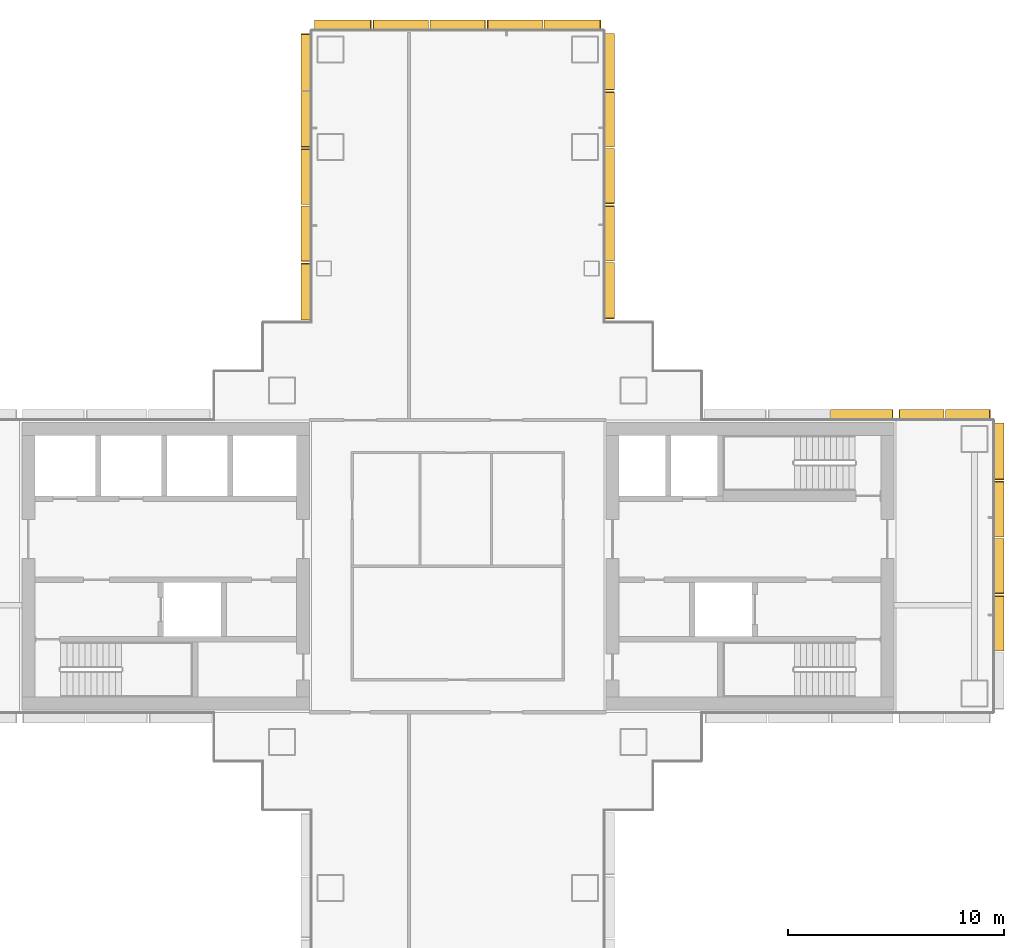
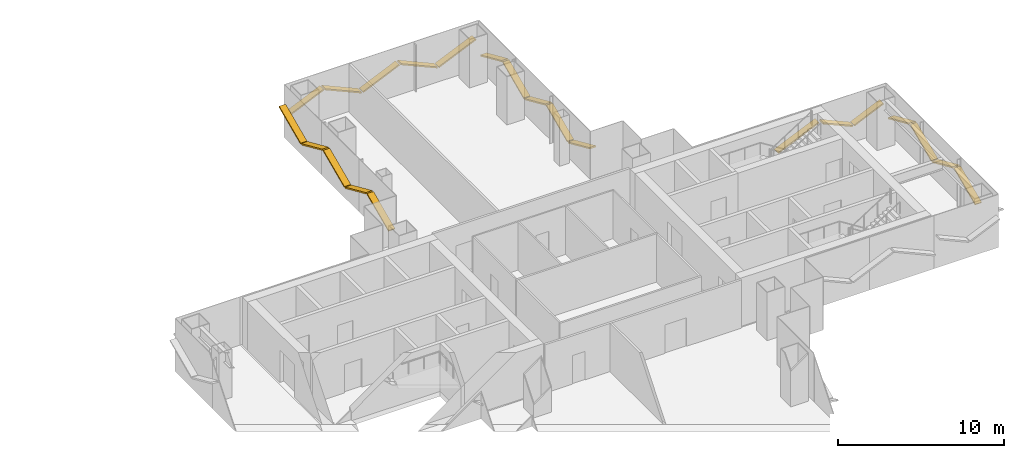
# One storey, part 19 of 20: 22 shading devices.
"""IFC4 building model written with IfcOpenShell, lengths in metres."""

from ifc_helpers import new_model, si_unit, direction, frame, origin, origin_2d, place, context, subcontext, project, spatial, rectangle, extrude, material, material_profile, profile_set, type_object, element, save


model = new_model("IFC4")

# Units and contexts
model_context = context("Model", 3, precision=1e-05, world=origin(), true_north=direction((0.0, 1.0)))
body_context = subcontext(model_context, "Body", "Model", "MODEL_VIEW")
ifc_project = project(units=[si_unit("LENGTHUNIT", "METRE"), si_unit("AREAUNIT", "SQUARE_METRE"), si_unit("VOLUMEUNIT", "CUBIC_METRE"), si_unit("PLANEANGLEUNIT", "RADIAN"), si_unit("MASSUNIT", "GRAM", prefix="KILO")], contexts=[model_context])

# Site, building, storey
site_placement = place(None, origin())
site = spatial("IfcSite", under=ifc_project, at=site_placement, CompositionType="ELEMENT")
building_placement = place(site_placement, origin())
building = spatial("IfcBuilding", under=site, at=building_placement, Name="Shamsa Quay Exchange Towers", CompositionType="ELEMENT")
storey_placement = place(building_placement, frame((0.0, 0.0, 101.39990234375)))
storey = spatial("IfcBuildingStorey", under=building, at=storey_placement, Name="L23", CompositionType="ELEMENT", Elevation=101.39990234375)

# Shading devices
ifc_material = material(Name="Aluminium EN AW-6063 T6, black anodised", Category="aluminium")
ifc_material_profile = material_profile(ifc_material, rectangle(XDim=0.449951171875, YDim=0.10009765625, at=origin_2d()), Name="FIN450x100")
ifc_profile_set = profile_set([ifc_material_profile], Name="Aluminium EN AW-6063 T6, black anodised")
shading_device_type = type_object("IfcShadingDeviceType", Name="FIN 450x100 BLACK ALUMINIUM", PredefinedType="USERDEFINED", material=ifc_profile_set)
shading_device_1_placement = place(storey_placement, frame((58.764892578125, -3.909912109375, 1.03466796875), z_axis=(0.0, 0.913536125794, 0.406757602103), x_axis=(-1.0, 0.0, 0.0)))
element("IfcShadingDevice", 1, at=shading_device_1_placement, inside=storey, type_object=shading_device_type, Name="FIN T2 chevron rib", ObjectType="FIN", PredefinedType="USERDEFINED", context=body_context, shape_type="SweptSolid", body=[
    extrude(rectangle(XDim=0.449951171875, YDim=0.10009765625, at=origin_2d()), origin(), (0.0, 0.0, 1.0), 2.7802734375),
])
shading_device_2_placement = place(storey_placement, frame((58.764892578125, -1.27001953125, 2.16552734375), z_axis=(0.0, 0.913550653139, -0.4067249736), x_axis=(-1.0, 0.0, 0.0)))
element("IfcShadingDevice", 2, at=shading_device_2_placement, inside=storey, type_object=shading_device_type, Name="FIN T2 chevron rib", ObjectType="FIN", PredefinedType="USERDEFINED", context=body_context, shape_type="SweptSolid", body=[
    extrude(rectangle(XDim=0.449951171875, YDim=0.10009765625, at=origin_2d()), origin(), (0.0, 0.0, 1.0), 2.780517578125),
])
shading_device_3_placement = place(storey_placement, frame((58.764892578125, 1.3701171875, 1.03466796875), z_axis=(0.0, 0.913536125794, 0.406757602103), x_axis=(-1.0, 0.0, 0.0)))
element("IfcShadingDevice", 3, at=shading_device_3_placement, inside=storey, type_object=shading_device_type, Name="FIN T2 chevron rib", ObjectType="FIN", PredefinedType="USERDEFINED", context=body_context, shape_type="SweptSolid", body=[
    extrude(rectangle(XDim=0.449951171875, YDim=0.10009765625, at=origin_2d()), origin(), (0.0, 0.0, 1.0), 2.7802734375),
])
shading_device_4_placement = place(storey_placement, frame((58.764892578125, 4.010009765625, 2.1767578125), z_axis=(0.0, 0.913527255138, -0.406777524109), x_axis=(-1.0, 0.0, 0.0)))
element("IfcShadingDevice", 4, at=shading_device_4_placement, inside=storey, type_object=shading_device_type, Name="FIN T2 chevron rib", ObjectType="FIN", PredefinedType="USERDEFINED", context=body_context, shape_type="SweptSolid", body=[
    extrude(rectangle(XDim=0.449951171875, YDim=0.10009765625, at=origin_2d()), origin(), (0.0, 0.0, 1.0), 2.835205078125),
])
for number, where, z_axis, x_axis, name in (
    (5, (58.35009765625, 7.014892578125, 2.056396484375), (-0.913569116241, 0.0, -0.406683500835), (0.0, -1.0, 0.0), "FIN T2 chevron rib"),
    (6, (56.199951171875, 7.014892578125, 1.143798828125), (-0.913569116241, 0.0, 0.406683500835), (0.0, -1.0, 0.0), "FIN T2 chevron rib"),
):
    element("IfcShadingDevice", number, at=place(storey_placement, frame(where, z_axis=z_axis, x_axis=x_axis)), inside=storey, type_object=shading_device_type, Name=name, ObjectType="FIN", PredefinedType="USERDEFINED", context=body_context, shape_type="SweptSolid", body=[
        extrude(rectangle(XDim=0.449951171875, YDim=0.10009765625, at=origin_2d()), origin(), (0.0, 0.0, 1.0), 2.243896484375),
    ])
shading_device_5_placement = place(storey_placement, frame((53.85009765625, 7.01904296875, 2.234619140625), z_axis=(-0.913533816972, 0.0, -0.406762787444), x_axis=(0.0, -1.0, 0.0)))
element("IfcShadingDevice", 7, at=shading_device_5_placement, inside=storey, type_object=shading_device_type, Name="FIN T2 chevron rib", ObjectType="FIN", PredefinedType="USERDEFINED", context=body_context, shape_type="SweptSolid", body=[
    extrude(rectangle(XDim=0.449951171875, YDim=0.10009765625, at=origin_2d()), origin(), (0.0, 0.0, 1.0), 3.119873046875),
])
shading_device_6_placement = place(storey_placement, frame((40.764892578125, 11.43798828125, 2.175048828125), z_axis=(0.0, 0.913533553072, -0.406763380126), x_axis=(-1.0, 0.0, 0.0)))
element("IfcShadingDevice", 8, at=shading_device_6_placement, inside=storey, type_object=shading_device_type, Name="FIN T2 chevron rib", ObjectType="FIN", PredefinedType="USERDEFINED", context=body_context, shape_type="SweptSolid", body=[
    extrude(rectangle(XDim=0.449951171875, YDim=0.10009765625, at=origin_2d()), origin(), (0.0, 0.0, 1.0), 2.826904296875),
])
for number, where, z_axis, x_axis, name in (
    (9, (40.764892578125, 14.120361328125, 1.036376953125), (0.0, 0.913557144957, 0.406710391922), (-1.0, 0.0, 0.0), "FIN T2 chevron rib"),
    (10, (40.764892578125, 16.752685546875, 2.163818359375), (0.0, 0.913557144957, -0.406710391922), (-1.0, 0.0, 0.0), "FIN T2 chevron rib"),
):
    element("IfcShadingDevice", number, at=place(storey_placement, frame(where, z_axis=z_axis, x_axis=x_axis)), inside=storey, type_object=shading_device_type, Name=name, ObjectType="FIN", PredefinedType="USERDEFINED", context=body_context, shape_type="SweptSolid", body=[
        extrude(rectangle(XDim=0.449951171875, YDim=0.10009765625, at=origin_2d()), origin(), (0.0, 0.0, 1.0), 2.772216796875),
    ])
shading_device_7_placement = place(storey_placement, frame((40.764892578125, 19.38525390625, 1.036376953125), z_axis=(0.0, 0.913542575134, 0.406743117235), x_axis=(-1.0, 0.0, 0.0)))
element("IfcShadingDevice", 11, at=shading_device_7_placement, inside=storey, type_object=shading_device_type, Name="FIN T2 chevron rib", ObjectType="FIN", PredefinedType="USERDEFINED", context=body_context, shape_type="SweptSolid", body=[
    extrude(rectangle(XDim=0.449951171875, YDim=0.10009765625, at=origin_2d()), origin(), (0.0, 0.0, 1.0), 2.77197265625),
])
shading_device_8_placement = place(storey_placement, frame((40.764892578125, 22.017578125, 2.175048828125), z_axis=(0.0, 0.913533553072, -0.406763380126), x_axis=(-1.0, 0.0, 0.0)))
element("IfcShadingDevice", 12, at=shading_device_8_placement, inside=storey, type_object=shading_device_type, Name="FIN T2 chevron rib", ObjectType="FIN", PredefinedType="USERDEFINED", context=body_context, shape_type="SweptSolid", body=[
    extrude(rectangle(XDim=0.449951171875, YDim=0.10009765625, at=origin_2d()), origin(), (0.0, 0.0, 1.0), 2.826904296875),
])
shading_device_9_placement = place(storey_placement, frame((40.35009765625, 25.014892578125, 2.1767578125), z_axis=(-0.913527255138, 0.0, -0.406777524109), x_axis=(0.0, -1.0, 0.0)))
element("IfcShadingDevice", 13, at=shading_device_9_placement, inside=storey, type_object=shading_device_type, Name="FIN T2 chevron rib", ObjectType="FIN", PredefinedType="USERDEFINED", context=body_context, shape_type="SweptSolid", body=[
    extrude(rectangle(XDim=0.449951171875, YDim=0.10009765625, at=origin_2d()), origin(), (0.0, 0.0, 1.0), 2.835205078125),
])
shading_device_10_placement = place(storey_placement, frame((37.659912109375, 25.014892578125, 1.03466796875), z_axis=(-0.913536125794, 0.0, 0.406757602103), x_axis=(0.0, -1.0, 0.0)))
element("IfcShadingDevice", 14, at=shading_device_10_placement, inside=storey, type_object=shading_device_type, Name="FIN T2 chevron rib", ObjectType="FIN", PredefinedType="USERDEFINED", context=body_context, shape_type="SweptSolid", body=[
    extrude(rectangle(XDim=0.449951171875, YDim=0.10009765625, at=origin_2d()), origin(), (0.0, 0.0, 1.0), 2.7802734375),
])
shading_device_11_placement = place(storey_placement, frame((35.02001953125, 25.014892578125, 2.16552734375), z_axis=(-0.913550653139, 0.0, -0.4067249736), x_axis=(0.0, -1.0, 0.0)))
element("IfcShadingDevice", 15, at=shading_device_11_placement, inside=storey, type_object=shading_device_type, Name="FIN T2 chevron rib", ObjectType="FIN", PredefinedType="USERDEFINED", context=body_context, shape_type="SweptSolid", body=[
    extrude(rectangle(XDim=0.449951171875, YDim=0.10009765625, at=origin_2d()), origin(), (0.0, 0.0, 1.0), 2.780517578125),
])
shading_device_12_placement = place(storey_placement, frame((32.3798828125, 25.014892578125, 1.03466796875), z_axis=(-0.913536125794, 0.0, 0.406757602103), x_axis=(0.0, -1.0, 0.0)))
element("IfcShadingDevice", 16, at=shading_device_12_placement, inside=storey, type_object=shading_device_type, Name="FIN T2 chevron rib", ObjectType="FIN", PredefinedType="USERDEFINED", context=body_context, shape_type="SweptSolid", body=[
    extrude(rectangle(XDim=0.449951171875, YDim=0.10009765625, at=origin_2d()), origin(), (0.0, 0.0, 1.0), 2.7802734375),
])
for number, where, z_axis, x_axis, name in (
    (17, (29.739990234375, 25.014892578125, 2.1767578125), (-0.913527255138, 0.0, -0.406777524109), (0.0, -1.0, 0.0), "FIN T2 chevron rib"),
    (18, (26.735107421875, 24.60009765625, 2.1767578125), (0.0, -0.913527255138, -0.406777524109), (1.0, 0.0, 0.0), "FIN T2 chevron rib"),
):
    element("IfcShadingDevice", number, at=place(storey_placement, frame(where, z_axis=z_axis, x_axis=x_axis)), inside=storey, type_object=shading_device_type, Name=name, ObjectType="FIN", PredefinedType="USERDEFINED", context=body_context, shape_type="SweptSolid", body=[
        extrude(rectangle(XDim=0.449951171875, YDim=0.10009765625, at=origin_2d()), origin(), (0.0, 0.0, 1.0), 2.835205078125),
    ])
shading_device_13_placement = place(storey_placement, frame((26.735107421875, 21.909912109375, 1.03466796875), z_axis=(0.0, -0.913536125794, 0.406757602103), x_axis=(1.0, 0.0, 0.0)))
element("IfcShadingDevice", 19, at=shading_device_13_placement, inside=storey, type_object=shading_device_type, Name="FIN T2 chevron rib", ObjectType="FIN", PredefinedType="USERDEFINED", context=body_context, shape_type="SweptSolid", body=[
    extrude(rectangle(XDim=0.449951171875, YDim=0.10009765625, at=origin_2d()), origin(), (0.0, 0.0, 1.0), 2.7802734375),
])
shading_device_14_placement = place(storey_placement, frame((26.735107421875, 19.27001953125, 2.16552734375), z_axis=(0.0, -0.913550653139, -0.4067249736), x_axis=(1.0, 0.0, 0.0)))
element("IfcShadingDevice", 20, at=shading_device_14_placement, inside=storey, type_object=shading_device_type, Name="FIN T2 chevron rib", ObjectType="FIN", PredefinedType="USERDEFINED", context=body_context, shape_type="SweptSolid", body=[
    extrude(rectangle(XDim=0.449951171875, YDim=0.10009765625, at=origin_2d()), origin(), (0.0, 0.0, 1.0), 2.780517578125),
])
shading_device_15_placement = place(storey_placement, frame((26.735107421875, 16.6298828125, 1.03466796875), z_axis=(0.0, -0.913536125794, 0.406757602103), x_axis=(1.0, 0.0, 0.0)))
element("IfcShadingDevice", 21, at=shading_device_15_placement, inside=storey, type_object=shading_device_type, Name="FIN T2 chevron rib", ObjectType="FIN", PredefinedType="USERDEFINED", context=body_context, shape_type="SweptSolid", body=[
    extrude(rectangle(XDim=0.449951171875, YDim=0.10009765625, at=origin_2d()), origin(), (0.0, 0.0, 1.0), 2.7802734375),
])
shading_device_16_placement = place(storey_placement, frame((26.735107421875, 13.989990234375, 2.1767578125), z_axis=(0.0, -0.913527255138, -0.406777524109), x_axis=(1.0, 0.0, 0.0)))
element("IfcShadingDevice", 22, at=shading_device_16_placement, inside=storey, type_object=shading_device_type, Name="FIN T2 chevron rib", ObjectType="FIN", PredefinedType="USERDEFINED", context=body_context, shape_type="SweptSolid", body=[
    extrude(rectangle(XDim=0.449951171875, YDim=0.10009765625, at=origin_2d()), origin(), (0.0, 0.0, 1.0), 2.835205078125),
])

save(model, "model.ifc")
